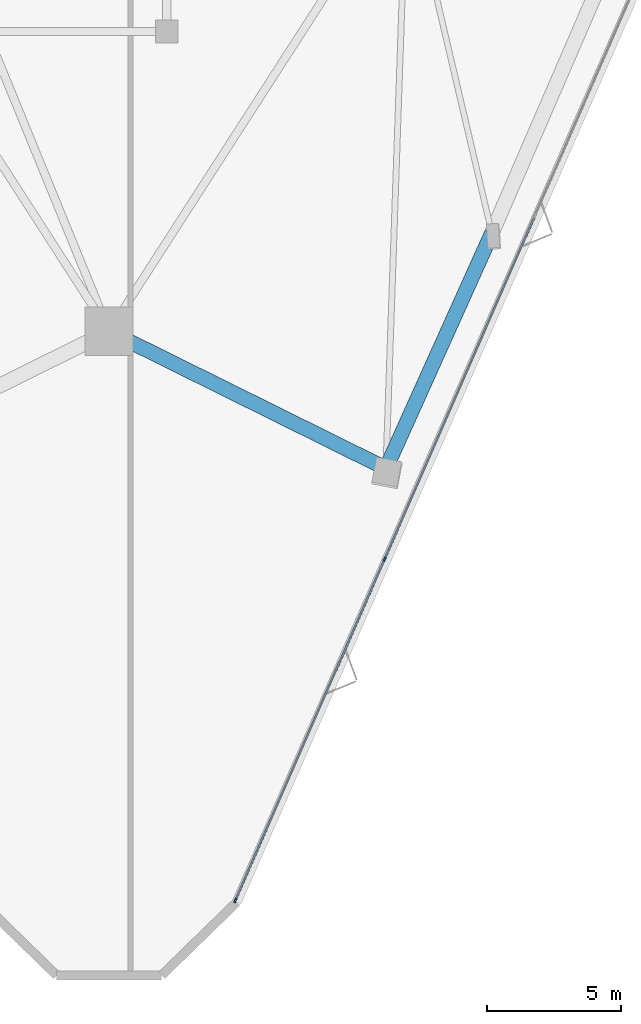
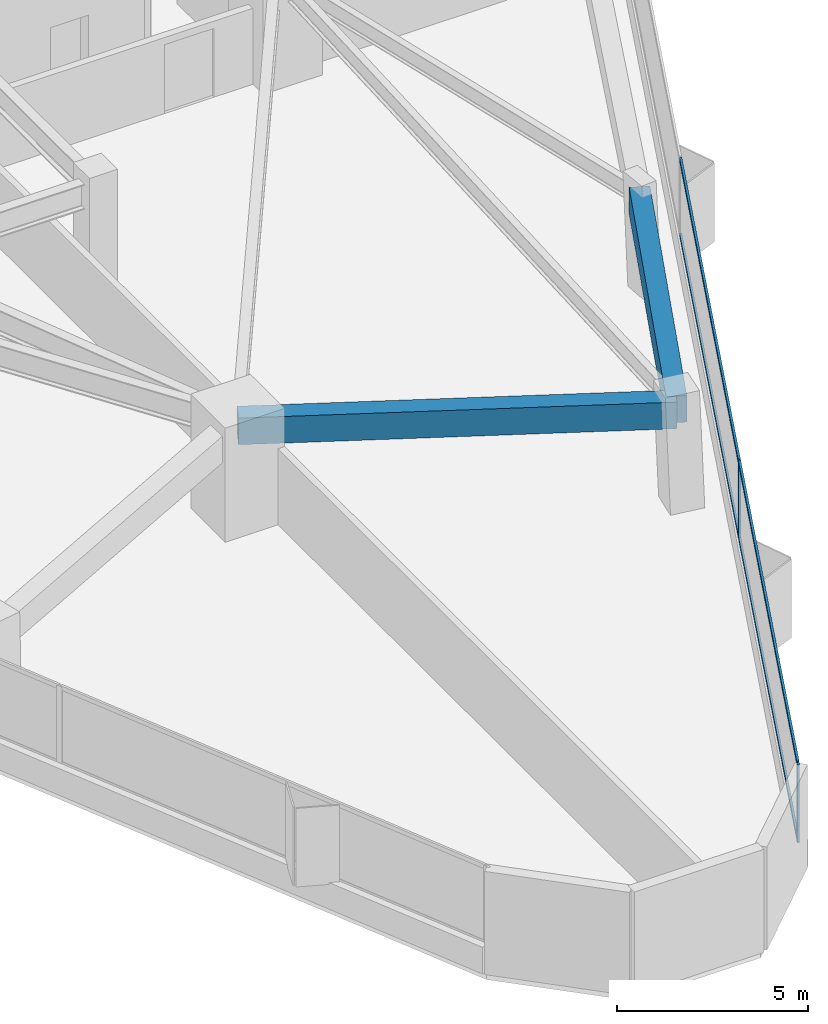
# One storey, part 4 of 20: 6 members, 2 beams, 1 element without a shape of its own.
"""IFC4 building model written with IfcOpenShell, lengths in metres."""

from ifc_helpers import new_model, si_unit, direction, frame, origin, origin_2d, place, context, subcontext, project, spatial, rectangle, extrude, material, layer, layer_set, material_profile, profile_set, type_object, element, aggregate, save


model = new_model("IFC4")

# Units and contexts
model_context = context("Model", 3, precision=1e-05, world=origin(), true_north=direction((0.0, 1.0)))
body_context = subcontext(model_context, "Body", "Model", "MODEL_VIEW")
ifc_project = project(units=[si_unit("LENGTHUNIT", "METRE"), si_unit("AREAUNIT", "SQUARE_METRE"), si_unit("VOLUMEUNIT", "CUBIC_METRE"), si_unit("PLANEANGLEUNIT", "RADIAN"), si_unit("MASSUNIT", "GRAM", prefix="KILO")], contexts=[model_context])

# Site, building, storey
site_placement = place(None, origin())
site = spatial("IfcSite", under=ifc_project, at=site_placement, CompositionType="ELEMENT")
building_placement = place(site_placement, origin())
building = spatial("IfcBuilding", under=site, at=building_placement, Name="Talyreon Biosciences Tower", CompositionType="ELEMENT")
storey_placement = place(building_placement, frame((0.0, 0.0, 62.949951171875)))
storey = spatial("IfcBuildingStorey", under=building, at=storey_placement, Name="L16", CompositionType="ELEMENT", Elevation=62.949951171875)

# Curtain wall, members
ifc_material_1 = material(Name="Thermally broken aluminium and low-E glazing", Category="aluminium")
ifc_layer = layer(ifc_material_1, 0.195068359375)
ifc_layer_set = layer_set([ifc_layer], Name="Thermally broken aluminium and low-E glazing")
curtain_wall_type = type_object("IfcCurtainWallType", Name="CurtainWall_Zone1WetLab", PredefinedType="NOTDEFINED", material=ifc_layer_set)
curtain_wall_placement = place(storey_placement, origin())
curtain_wall = element("IfcCurtainWall", 1, at=curtain_wall_placement, inside=storey, type_object=curtain_wall_type, Name="L16 Unitised Curtain Wall FCW-L16-08", PredefinedType="NOTDEFINED")
ifc_material_2 = material(Name="Anodised thermally broken aluminium", Category="aluminium")
ifc_material_profile_1 = material_profile(ifc_material_2, rectangle(XDim=0.06494140625, YDim=0.179931640625, at=origin_2d()), Name="ALUM MULLION 65x180")
ifc_profile_set_1 = profile_set([ifc_material_profile_1], Name="Anodised thermally broken aluminium")
member_type_1 = type_object("IfcMemberType", Name="CWMullion_65x180", PredefinedType="MULLION", material=ifc_profile_set_1)
member_1_placement = place(storey_placement, frame((76.2734375, 33.17822265625, 0.81005859375), z_axis=(0.0, 0.0, 1.0), x_axis=(0.916092182361, -0.400967721165, 0.0)))
member_1 = element("IfcMember", 2, at=member_1_placement, type_object=member_type_1, Name="CW2 mullion 5", PredefinedType="MULLION", context=body_context, shape_type="SweptSolid", body=[
    extrude(rectangle(XDim=0.06494140625, YDim=0.179931640625, at=origin_2d()), origin(), (0.0, 0.0, 1.0), 2.489990234375),
])
member_2_placement = place(storey_placement, frame((70.703369140625, 20.452392578125, 0.81005859375), z_axis=(0.0, 0.0, 1.0), x_axis=(0.916092182361, -0.400967721165, 0.0)))
member_2 = element("IfcMember", 3, at=member_2_placement, type_object=member_type_1, Name="CW2 mullion 6", PredefinedType="MULLION", context=body_context, shape_type="SweptSolid", body=[
    extrude(rectangle(XDim=0.06494140625, YDim=0.179931640625, at=origin_2d()), origin(), (0.0, 0.0, 1.0), 2.489990234375),
])
ifc_material_profile_2 = material_profile(ifc_material_2, rectangle(XDim=0.06494140625, YDim=0.139892578125, at=origin_2d()), Name="ALUM TRANSOM 65x140")
ifc_profile_set_2 = profile_set([ifc_material_profile_2], Name="Anodised thermally broken aluminium")
member_type_2 = type_object("IfcMemberType", Name="CWTransom_65x140", PredefinedType="USERDEFINED", material=ifc_profile_set_2)
member_3_placement = place(storey_placement, frame((81.843505859375, 45.904052734375, 0.842529296875), z_axis=(-0.400962068949, -0.916094656279, 0.0), x_axis=(0.916094656279, -0.400962068949, 0.0)))
member_3 = element("IfcMember", 4, at=member_3_placement, type_object=member_type_2, Name="CW2 transom 4.1", ObjectType="TRANSOM", PredefinedType="USERDEFINED", context=body_context, shape_type="SweptSolid", body=[
    extrude(rectangle(XDim=0.06494140625, YDim=0.139892578125, at=origin_2d()), origin(), (0.0, 0.0, 1.0), 13.85888671875),
])
member_4_placement = place(storey_placement, frame((81.843505859375, 45.904052734375, 3.267578125), z_axis=(-0.400962068949, -0.916094656279, 0.0), x_axis=(0.916094656279, -0.400962068949, 0.0)))
member_4 = element("IfcMember", 5, at=member_4_placement, type_object=member_type_2, Name="CW2 transom 4.2", ObjectType="TRANSOM", PredefinedType="USERDEFINED", context=body_context, shape_type="SweptSolid", body=[
    extrude(rectangle(XDim=0.06494140625, YDim=0.139892578125, at=origin_2d()), origin(), (0.0, 0.0, 1.0), 13.85888671875),
])
member_5_placement = place(storey_placement, frame((76.260498046875, 33.1484375, 0.842529296875), z_axis=(-0.400961476813, -0.916094915449, 0.0), x_axis=(0.916094915449, -0.400961476813, 0.0)))
member_5 = element("IfcMember", 6, at=member_5_placement, type_object=member_type_2, Name="CW2 transom 5.1", ObjectType="TRANSOM", PredefinedType="USERDEFINED", context=body_context, shape_type="SweptSolid", body=[
    extrude(rectangle(XDim=0.06494140625, YDim=0.139892578125, at=origin_2d()), origin(), (0.0, 0.0, 1.0), 13.82666015625),
])
member_6_placement = place(storey_placement, frame((76.260498046875, 33.1484375, 3.267578125), z_axis=(-0.400961476813, -0.916094915449, 0.0), x_axis=(0.916094915449, -0.400961476813, 0.0)))
member_6 = element("IfcMember", 7, at=member_6_placement, type_object=member_type_2, Name="CW2 transom 5.2", ObjectType="TRANSOM", PredefinedType="USERDEFINED", context=body_context, shape_type="SweptSolid", body=[
    extrude(rectangle(XDim=0.06494140625, YDim=0.139892578125, at=origin_2d()), origin(), (0.0, 0.0, 1.0), 13.82666015625),
])
aggregate(curtain_wall, [member_1, member_2, member_3, member_4, member_5, member_6])

# Beams
ifc_material_3 = material(Name="Precast concrete C45/55", Category="concrete")
ifc_material_profile_3 = material_profile(ifc_material_3, rectangle(XDim=0.550048828125, YDim=0.85009765625, at=origin_2d()), Name="RCB 550x850")
ifc_profile_set_3 = profile_set([ifc_material_profile_3], Name="Precast concrete C45/55")
beam_type = type_object("IfcBeamType", Name="ExpressedSpandrel_550x850", PredefinedType="SPANDREL", material=ifc_profile_set_3)
beam_1_placement = place(storey_placement, frame((66.0, 41.6669921875, 2.875), z_axis=(0.896112569539, -0.443826838659, 0.0), x_axis=(0.443826838659, 0.896112569539, 0.0)))
element("IfcBeam", 8, at=beam_1_placement, inside=storey, type_object=beam_type, Name="L16 Expressed Horizontal Concrete Spandrel 01", PredefinedType="SPANDREL", context=body_context, shape_type="SweptSolid", body=[
    extrude(rectangle(XDim=0.550048828125, YDim=0.85009765625, at=origin_2d()), origin(), (0.0, 0.0, 1.0), 11.515869140625),
])
beam_2_placement = place(storey_placement, frame((76.319580078125, 36.555908203125, 2.875), z_axis=(0.410390008822, 0.91191010558, 0.0), x_axis=(-0.91191010558, 0.410390008822, 0.0)))
element("IfcBeam", 9, at=beam_2_placement, inside=storey, type_object=beam_type, Name="L16 Expressed Horizontal Concrete Spandrel 02", PredefinedType="SPANDREL", context=body_context, shape_type="SweptSolid", body=[
    extrude(rectangle(XDim=0.550048828125, YDim=0.85009765625, at=origin_2d()), origin(), (0.0, 0.0, 1.0), 9.61767578125),
])

save(model, "model.ifc")
